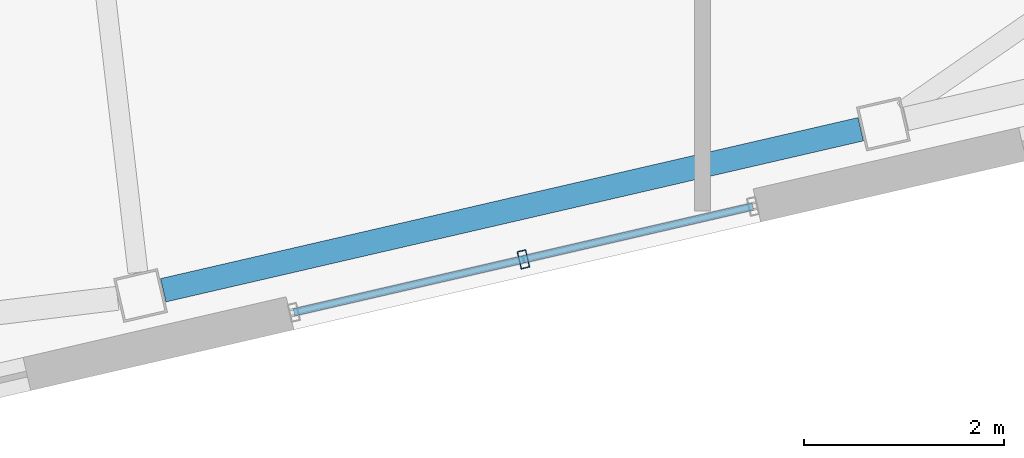
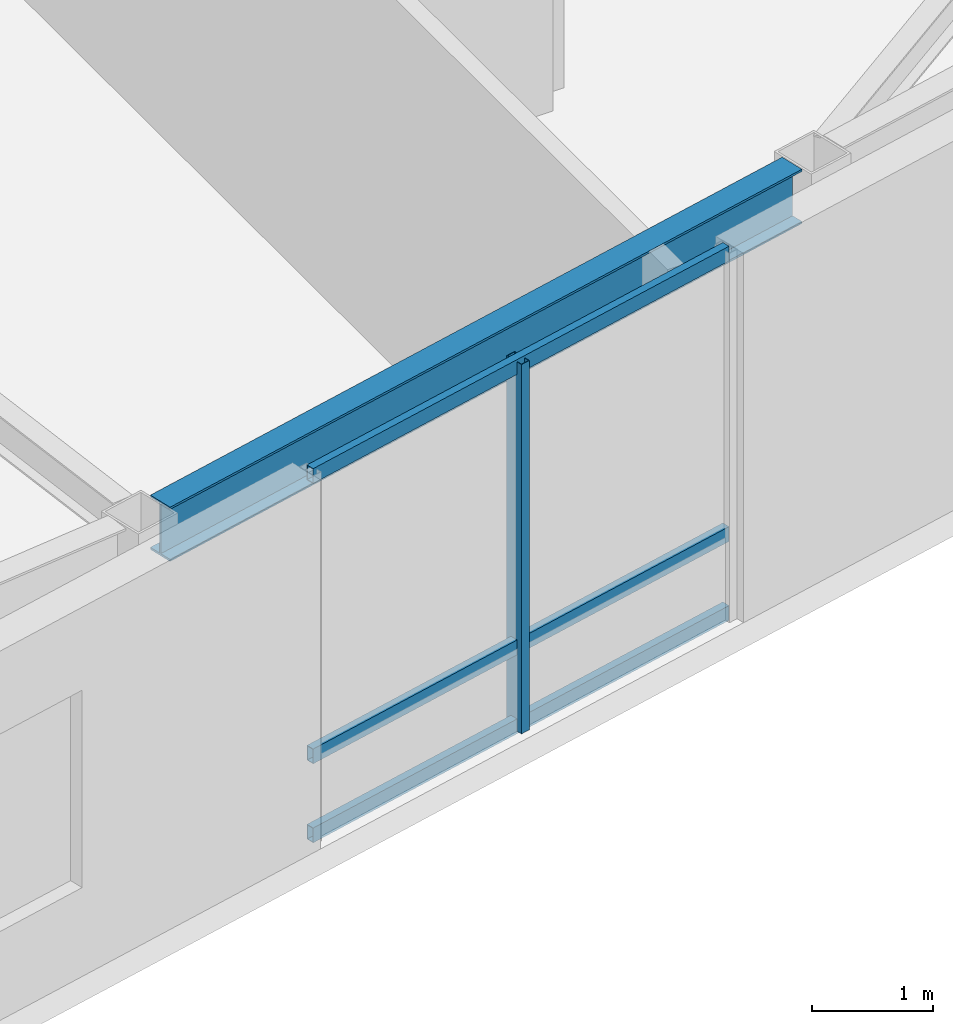
# One storey, part 9 of 24: 4 members, 1 beam, 1 element without a shape of its own.
"""IFC4 building model written with IfcOpenShell, lengths in metres."""

from ifc_helpers import new_model, si_unit, direction, frame, origin, origin_2d, place, context, subcontext, project, spatial, hollow_rectangle, i_section, extrude, material, layer, layer_set, material_profile, profile_set, type_object, element, aggregate, save


model = new_model("IFC4")

# Units and contexts
model_context = context("Model", 3, precision=1e-05, world=origin(), true_north=direction((0.0, 1.0)))
body_context = subcontext(model_context, "Body", "Model", "MODEL_VIEW")
ifc_project = project(units=[si_unit("LENGTHUNIT", "METRE"), si_unit("AREAUNIT", "SQUARE_METRE"), si_unit("VOLUMEUNIT", "CUBIC_METRE"), si_unit("PLANEANGLEUNIT", "RADIAN"), si_unit("MASSUNIT", "GRAM", prefix="KILO")], contexts=[model_context])

# Site, building, storey
site_placement = place(None, origin())
site = spatial("IfcSite", under=ifc_project, at=site_placement, CompositionType="ELEMENT")
building_placement = place(site_placement, origin())
building = spatial("IfcBuilding", under=site, at=building_placement, Name="Tavrogorsk Clinical Tower", CompositionType="ELEMENT")
storey_placement = place(building_placement, frame((0.0, 0.0, 309.0)))
storey = spatial("IfcBuildingStorey", under=building, at=storey_placement, Name="L72", CompositionType="ELEMENT", Elevation=309.0)

# Curtain wall, members
ifc_material_1 = material(Name="Anodised aluminium and triple IGU glazing", Category="aluminium")
ifc_layer = layer(ifc_material_1, 0.179931640625)
ifc_layer_set = layer_set([ifc_layer], Name="Anodised aluminium and triple IGU glazing")
curtain_wall_type = type_object("IfcCurtainWallType", Name="CW3_SouthSlot", PredefinedType="NOTDEFINED", material=ifc_layer_set)
curtain_wall_placement = place(storey_placement, origin())
curtain_wall = element("IfcCurtainWall", 1, at=curtain_wall_placement, inside=storey, type_object=curtain_wall_type, Name="L72 Curtain Wall CW-L72-S-SLOT-2", PredefinedType="NOTDEFINED")
ifc_material_2 = material(Name="Anodised aluminium alloy AW-6060", Category="aluminium")
ifc_material_profile_1 = material_profile(ifc_material_2, hollow_rectangle(XDim=0.090087890625, YDim=0.179931640625, WallThickness=0.00634765625, at=origin_2d()), Name="RHS-180x90x6.3")
ifc_profile_set_1 = profile_set([ifc_material_profile_1], Name="Anodised aluminium alloy AW-6060")
member_type_1 = type_object("IfcMemberType", Name="CwMullion_180x90", PredefinedType="MULLION", material=ifc_profile_set_1)
member_1_placement = place(storey_placement, frame((10.106689453125, -22.03515625, 0.0), z_axis=(0.0, 0.0, 1.0), x_axis=(0.974370057377, 0.224951086434, 0.0)))
member_1 = element("IfcMember", 2, at=member_1_placement, type_object=member_type_1, Name="CW-L72-S-SLOT-2 Mullion 2", PredefinedType="MULLION", context=body_context, shape_type="SweptSolid", body=[
    extrude(hollow_rectangle(XDim=0.090087890625, YDim=0.179931640625, WallThickness=0.00634765625, at=origin_2d()), origin(), (0.0, 0.0, 1.0), 3.739990234375),
])
ifc_material_3 = material(Name="Anodised aluminium alloy AW-6060", Category="aluminium")
ifc_material_profile_2 = material_profile(ifc_material_3, hollow_rectangle(XDim=0.074951171875, YDim=0.14990234375, WallThickness=0.0048828125, at=origin_2d()), Name="RHS-150x75x5")
ifc_profile_set_2 = profile_set([ifc_material_profile_2], Name="Anodised aluminium alloy AW-6060")
member_type_2 = type_object("IfcMemberType", Name="CwTransom_150x75", PredefinedType="USERDEFINED", material=ifc_profile_set_2)
member_2_placement = place(storey_placement, frame((7.80810546875, -22.56591796875, 0.050048828125), z_axis=(0.974372877948, 0.22493886885, 0.0), x_axis=(-0.22493886885, 0.974372877948, 0.0)))
member_2 = element("IfcMember", 3, at=member_2_placement, type_object=member_type_2, Name="CW-L72-S-SLOT-2 Transom 1", ObjectType="TRANSOM", PredefinedType="USERDEFINED", context=body_context, shape_type="SweptSolid", body=[
    extrude(hollow_rectangle(XDim=0.074951171875, YDim=0.14990234375, WallThickness=0.0048828125, at=origin_2d()), origin(), (0.0, 0.0, 1.0), 4.718017578125),
])
member_3_placement = place(storey_placement, frame((7.80810546875, -22.56591796875, 0.85009765625), z_axis=(0.974372877948, 0.22493886885, 0.0), x_axis=(-0.22493886885, 0.974372877948, 0.0)))
member_3 = element("IfcMember", 4, at=member_3_placement, type_object=member_type_2, Name="CW-L72-S-SLOT-2 Transom 2", ObjectType="TRANSOM", PredefinedType="USERDEFINED", context=body_context, shape_type="SweptSolid", body=[
    extrude(hollow_rectangle(XDim=0.074951171875, YDim=0.14990234375, WallThickness=0.0048828125, at=origin_2d()), origin(), (0.0, 0.0, 1.0), 4.718017578125),
])
member_4_placement = place(storey_placement, frame((7.80810546875, -22.56591796875, 3.68994140625), z_axis=(0.974372877948, 0.22493886885, 0.0), x_axis=(-0.22493886885, 0.974372877948, 0.0)))
member_4 = element("IfcMember", 5, at=member_4_placement, type_object=member_type_2, Name="CW-L72-S-SLOT-2 Transom 3", ObjectType="TRANSOM", PredefinedType="USERDEFINED", context=body_context, shape_type="SweptSolid", body=[
    extrude(hollow_rectangle(XDim=0.074951171875, YDim=0.14990234375, WallThickness=0.0048828125, at=origin_2d()), origin(), (0.0, 0.0, 1.0), 4.718017578125),
])
aggregate(curtain_wall, [member_1, member_2, member_3, member_4])

# Beam
ifc_material_4 = material(Name="Structural steel S390", Category="steel")
ifc_material_profile_3 = material_profile(ifc_material_4, i_section(OverallWidth=0.239990234375, OverallDepth=0.550048828125, WebThickness=0.013916015625, FlangeThickness=0.02197265625, at=origin_2d()), Name="B-550x240x14x22")
ifc_profile_set_3 = profile_set([ifc_material_profile_3], Name="Structural steel S390")
beam_type = type_object("IfcBeamType", Name="SpandrelBeam_B550", PredefinedType="SPANDREL", material=ifc_profile_set_3)
beam_placement = place(storey_placement, frame((6.499755859375, -22.344482421875, 3.465087890625), z_axis=(0.974369378592, 0.224954026551, 0.0), x_axis=(-0.224954026551, 0.974369378592, 0.0)))
element("IfcBeam", 6, at=beam_placement, inside=storey, type_object=beam_type, Name="L72 Perimeter Spandrel S5-S6", PredefinedType="SPANDREL", context=body_context, shape_type="SweptSolid", body=[
    extrude(i_section(OverallWidth=0.239990234375, OverallDepth=0.550048828125, WebThickness=0.013916015625, FlangeThickness=0.02197265625, at=origin_2d()), origin(), (0.0, 0.0, 1.0), 7.16845703125),
])

save(model, "model.ifc")
